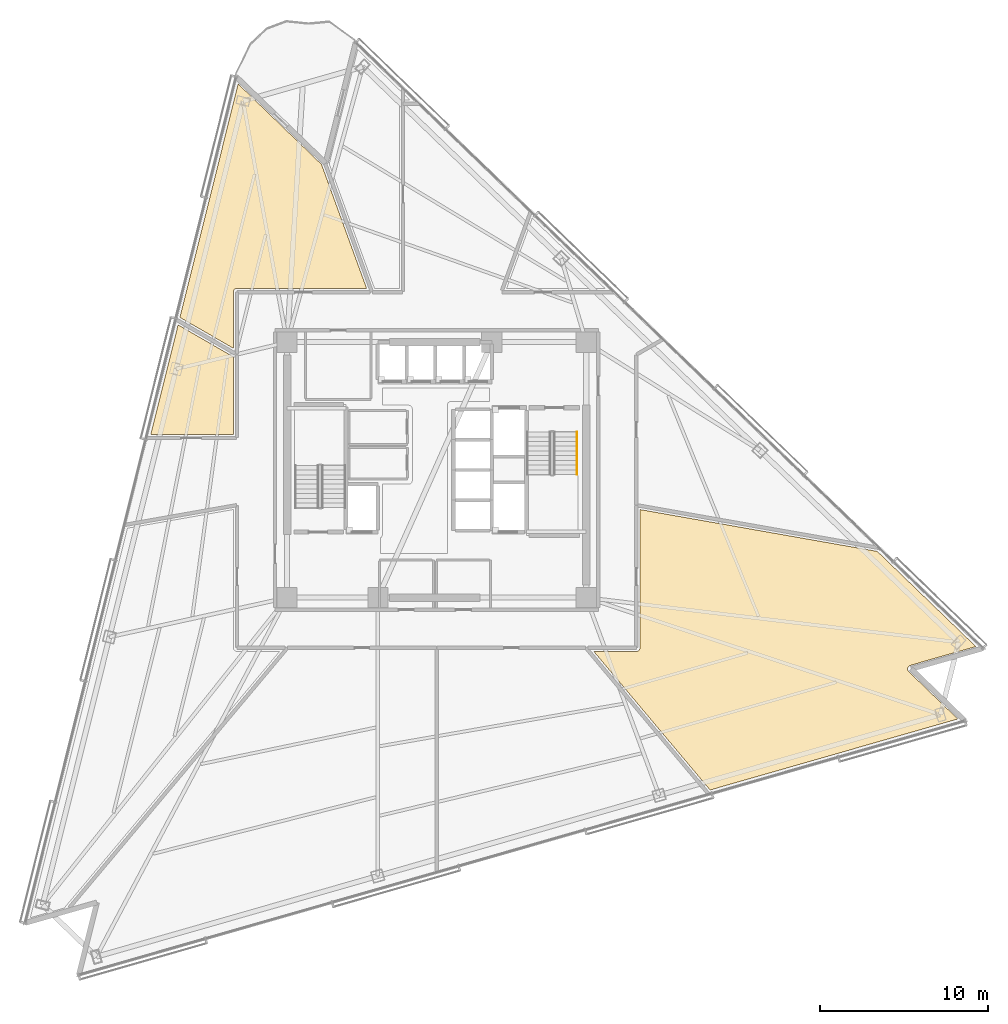
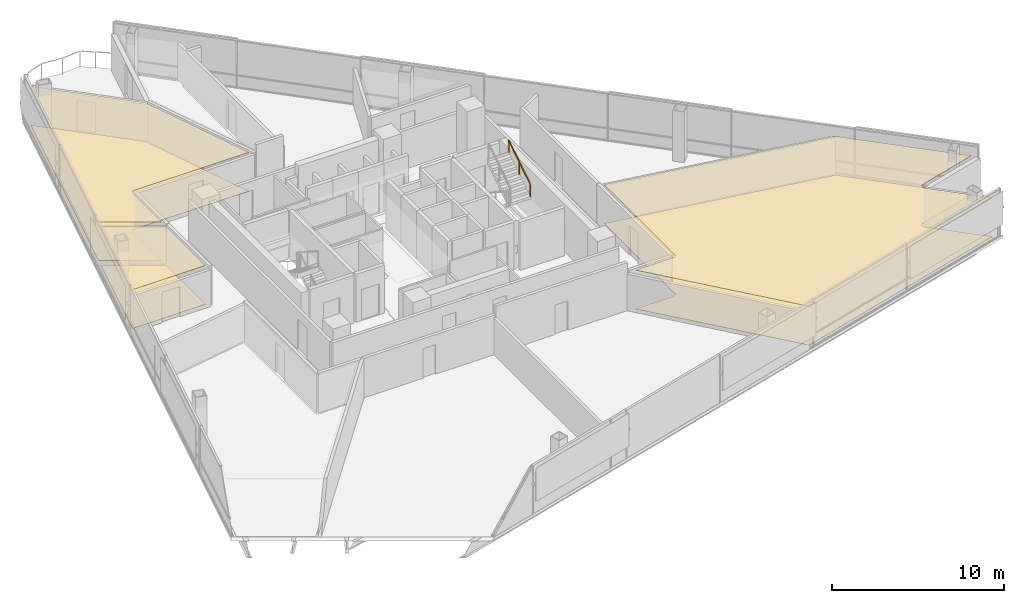
# One storey, part 17 of 19: 6 coverings, 1 railing.
"""IFC4 building model written with IfcOpenShell, lengths in metres."""

from ifc_helpers import new_model, si_unit, direction, frame, origin, origin_2d, place, context, subcontext, project, spatial, polyline, rectangle, outline, extrude, material, layer, layer_set, type_object, element, save


model = new_model("IFC4")

# Units and contexts
model_context = context("Model", 3, precision=1e-05, world=origin(), true_north=direction((0.0, 1.0)))
body_context = subcontext(model_context, "Body", "Model", "MODEL_VIEW")
ifc_project = project(units=[si_unit("LENGTHUNIT", "METRE"), si_unit("AREAUNIT", "SQUARE_METRE"), si_unit("VOLUMEUNIT", "CUBIC_METRE"), si_unit("PLANEANGLEUNIT", "RADIAN"), si_unit("MASSUNIT", "GRAM", prefix="KILO")], contexts=[model_context])

# Site, building, storey
site_placement = place(None, origin())
site = spatial("IfcSite", under=ifc_project, at=site_placement, CompositionType="ELEMENT")
building_placement = place(site_placement, origin())
building = spatial("IfcBuilding", under=site, at=building_placement, Name="Tharavind Bronze Gate", CompositionType="ELEMENT")
storey_placement = place(building_placement, frame((0.0, 0.0, 89.699951171875)))
storey = spatial("IfcBuildingStorey", under=building, at=storey_placement, Name="L22", CompositionType="ELEMENT", Elevation=89.699951171875)

# Coverings
ifc_material_1 = material(Name="Perforated Bronze Acoustic Panel", Category="bronze")
ifc_layer_1 = layer(ifc_material_1, 0.044921875)
ifc_layer_set_1 = layer_set([ifc_layer_1], Name="Perforated Bronze Acoustic Panel")
covering_type_1 = type_object("IfcCoveringType", Name="ACOUSTIC BRONZE BAFFLE CEILING", PredefinedType="CEILING", material=ifc_layer_set_1)
covering_1_placement = place(storey_placement, frame((0.0, 0.0, 2.75)))
element("IfcCovering", 1, at=covering_1_placement, inside=storey, type_object=covering_type_1, Name="L22-RM-04 suspended ceiling", PredefinedType="CEILING", context=body_context, shape_type="SweptSolid", body=[
    extrude(outline(polyline([(-12.10009765625, 2.1201171875), (-12.10009765625, 6.73193359375), (-15.387939453125, 8.630126953125), (-17.01123046875, 2.1201171875), (-12.10009765625, 2.1201171875)])), origin(), (0.0, 0.0, 1.0), 0.03515625),
])
ifc_material_2 = material(Name="Engineered Oak & Carpet Tile", Category="wood")
ifc_layer_2 = layer(ifc_material_2, 0.02490234375)
ifc_layer_set_2 = layer_set([ifc_layer_2], Name="Engineered Oak & Carpet Tile")
covering_type_2 = type_object("IfcCoveringType", Name="ENGINEERED TIMBER FLOORING", PredefinedType="FLOORING", material=ifc_layer_set_2)
covering_2_placement = place(storey_placement, origin())
element("IfcCovering", 2, at=covering_2_placement, inside=storey, type_object=covering_type_2, Name="L22-RM-03 floor finish", PredefinedType="FLOORING", context=body_context, shape_type="SweptSolid", body=[
    extrude(outline(polyline([(-12.10009765625, 7.239990234375), (-12.10009765625, 10.579345703125), (-12.099609375, 10.590087890625), (-12.099609375, 10.5908203125), (-12.09765625, 10.6123046875), (-12.093505859375, 10.63330078125), (-12.087158203125, 10.654052734375), (-12.078857421875, 10.674072265625), (-12.068603515625, 10.693115234375), (-12.056640625, 10.7109375), (-12.04296875, 10.727783203125), (-12.027587890625, 10.742919921875), (-12.010986328125, 10.756591796875), (-11.9931640625, 10.768798828125), (-11.97412109375, 10.77880859375), (-11.9541015625, 10.787109375), (-11.933349609375, 10.79345703125), (-11.912353515625, 10.797607421875), (-11.890869140625, 10.7998046875), (-11.89013671875, 10.7998046875), (-11.87939453125, 10.800048828125), (-4.1650390625, 10.800048828125), (-6.851318359375, 18.18017578125), (-11.8125, 22.97119140625), (-15.27734375, 9.074462890625), (-12.10009765625, 7.239990234375)])), origin(), (0.0, 0.0, 1.0), 0.025146484375),
])
covering_3_placement = place(storey_placement, origin())
element("IfcCovering", 3, at=covering_3_placement, inside=storey, type_object=covering_type_2, Name="L22-RM-04 floor finish", PredefinedType="FLOORING", context=body_context, shape_type="SweptSolid", body=[
    extrude(outline(polyline([(-12.10009765625, 2.1201171875), (-12.10009765625, 6.73193359375), (-15.387939453125, 8.630126953125), (-17.01123046875, 2.1201171875), (-12.10009765625, 2.1201171875)])), origin(), (0.0, 0.0, 1.0), 0.025146484375),
])
covering_4_placement = place(storey_placement, origin())
element("IfcCovering", 4, at=covering_4_placement, inside=storey, type_object=covering_type_2, Name="L22-RM-08 floor finish", PredefinedType="FLOORING", context=body_context, shape_type="SweptSolid", body=[
    extrude(outline(polyline([(16.269775390625, -19.04736328125), (31.011962890625, -14.820068359375), (28.092529296875, -12.0009765625), (28.0849609375, -11.9931640625), (28.08447265625, -11.992919921875), (28.0703125, -11.97607421875), (28.057861328125, -11.9580078125), (28.04736328125, -11.938720703125), (28.038818359375, -11.918701171875), (28.031982421875, -11.897705078125), (28.027587890625, -11.876220703125), (28.025390625, -11.8544921875), (28.025390625, -11.83251953125), (28.02734375, -11.810546875), (28.031494140625, -11.7890625), (28.037841796875, -11.76806640625), (28.04638671875, -11.747802734375), (28.056884765625, -11.728515625), (28.069091796875, -11.71044921875), (28.0830078125, -11.693603515625), (28.0986328125, -11.677978515625), (28.11572265625, -11.664306640625), (28.134033203125, -11.65234375), (28.153564453125, -11.64208984375), (28.173828125, -11.634033203125), (28.174560546875, -11.6337890625), (28.18505859375, -11.630615234375), (32.086181640625, -10.511962890625), (26.219482421875, -4.8466796875), (12.10009765625, -2.35693359375), (12.10009765625, -10.579345703125), (12.099609375, -10.590087890625), (12.099609375, -10.5908203125), (12.09765625, -10.6123046875), (12.093505859375, -10.63330078125), (12.087158203125, -10.654052734375), (12.078857421875, -10.674072265625), (12.068603515625, -10.693115234375), (12.056640625, -10.7109375), (12.04296875, -10.727783203125), (12.027587890625, -10.742919921875), (12.010986328125, -10.756591796875), (11.9931640625, -10.768798828125), (11.97412109375, -10.77880859375), (11.9541015625, -10.787109375), (11.933349609375, -10.79345703125), (11.912353515625, -10.797607421875), (11.890869140625, -10.7998046875), (11.89013671875, -10.7998046875), (11.87939453125, -10.800048828125), (9.349609375, -10.800048828125), (16.269775390625, -19.04736328125)])), origin(), (0.0, 0.0, 1.0), 0.025146484375),
])
ifc_material_3 = material(Name="Acoustic Gypsum Board", Category="gypsum")
ifc_layer_3 = layer(ifc_material_3, 0.030029296875)
ifc_layer_set_3 = layer_set([ifc_layer_3], Name="Acoustic Gypsum Board")
covering_type_3 = type_object("IfcCoveringType", Name="GYPSUM SUSPENDED CEILING", PredefinedType="CEILING", material=ifc_layer_set_3)
covering_5_placement = place(storey_placement, frame((0.0, 0.0, 2.75)))
element("IfcCovering", 5, at=covering_5_placement, inside=storey, type_object=covering_type_3, Name="L22-RM-03 suspended ceiling", PredefinedType="CEILING", context=body_context, shape_type="SweptSolid", body=[
    extrude(outline(polyline([(-12.10009765625, 7.239990234375), (-12.10009765625, 10.579345703125), (-12.099609375, 10.590087890625), (-12.099609375, 10.5908203125), (-12.09765625, 10.6123046875), (-12.093505859375, 10.63330078125), (-12.087158203125, 10.654052734375), (-12.078857421875, 10.674072265625), (-12.068603515625, 10.693115234375), (-12.056640625, 10.7109375), (-12.04296875, 10.727783203125), (-12.027587890625, 10.742919921875), (-12.010986328125, 10.756591796875), (-11.9931640625, 10.768798828125), (-11.97412109375, 10.77880859375), (-11.9541015625, 10.787109375), (-11.933349609375, 10.79345703125), (-11.912353515625, 10.797607421875), (-11.890869140625, 10.7998046875), (-11.89013671875, 10.7998046875), (-11.87939453125, 10.800048828125), (-4.1650390625, 10.800048828125), (-6.851318359375, 18.18017578125), (-11.8125, 22.97119140625), (-15.27734375, 9.074462890625), (-12.10009765625, 7.239990234375)])), origin(), (0.0, 0.0, 1.0), 0.03515625),
])
covering_6_placement = place(storey_placement, frame((0.0, 0.0, 2.75)))
element("IfcCovering", 6, at=covering_6_placement, inside=storey, type_object=covering_type_3, Name="L22-RM-08 suspended ceiling", PredefinedType="CEILING", context=body_context, shape_type="SweptSolid", body=[
    extrude(outline(polyline([(16.269775390625, -19.04736328125), (31.011962890625, -14.820068359375), (28.092529296875, -12.0009765625), (28.0849609375, -11.9931640625), (28.08447265625, -11.992919921875), (28.0703125, -11.97607421875), (28.057861328125, -11.9580078125), (28.04736328125, -11.938720703125), (28.038818359375, -11.918701171875), (28.031982421875, -11.897705078125), (28.027587890625, -11.876220703125), (28.025390625, -11.8544921875), (28.025390625, -11.83251953125), (28.02734375, -11.810546875), (28.031494140625, -11.7890625), (28.037841796875, -11.76806640625), (28.04638671875, -11.747802734375), (28.056884765625, -11.728515625), (28.069091796875, -11.71044921875), (28.0830078125, -11.693603515625), (28.0986328125, -11.677978515625), (28.11572265625, -11.664306640625), (28.134033203125, -11.65234375), (28.153564453125, -11.64208984375), (28.173828125, -11.634033203125), (28.174560546875, -11.6337890625), (28.18505859375, -11.630615234375), (32.086181640625, -10.511962890625), (26.219482421875, -4.8466796875), (12.10009765625, -2.35693359375), (12.10009765625, -10.579345703125), (12.099609375, -10.590087890625), (12.099609375, -10.5908203125), (12.09765625, -10.6123046875), (12.093505859375, -10.63330078125), (12.087158203125, -10.654052734375), (12.078857421875, -10.674072265625), (12.068603515625, -10.693115234375), (12.056640625, -10.7109375), (12.04296875, -10.727783203125), (12.027587890625, -10.742919921875), (12.010986328125, -10.756591796875), (11.9931640625, -10.768798828125), (11.97412109375, -10.77880859375), (11.9541015625, -10.787109375), (11.933349609375, -10.79345703125), (11.912353515625, -10.797607421875), (11.890869140625, -10.7998046875), (11.89013671875, -10.7998046875), (11.87939453125, -10.800048828125), (9.349609375, -10.800048828125), (16.269775390625, -19.04736328125)])), origin(), (0.0, 0.0, 1.0), 0.03515625),
])

# Railing
ifc_material_4 = material(Name="Brushed Bronze Alloy", Category="metal")
railing_type = type_object("IfcRailingType", Name="STAIR BRONZE HANDRAIL 900", PredefinedType="HANDRAIL", material=ifc_material_4)
railing_placement = place(storey_placement, frame((8.35009765625, -0.27001953125, 1.97998046875)))
element("IfcRailing", 7, at=railing_placement, inside=storey, type_object=railing_type, Name="L22 ST2 stair handrail 2", PredefinedType="HANDRAIL", context=body_context, shape_type="SweptSolid", body=[
    extrude(rectangle(XDim=0.048095703125, YDim=0.048095703125, at=origin_2d()), frame((0.0, 0.02685546875, 0.89306640625), z_axis=(0.0, 0.841162588446, 0.540782303519), x_axis=(-1.0, 0.0, 0.0)), (0.0, 0.0, 1.0), 2.931884765625),
    extrude(rectangle(XDim=0.0400390625, YDim=0.0400390625, at=origin_2d()), origin(), (0.0, 0.0, 1.0), 0.847900390625),
    extrude(rectangle(XDim=0.0400390625, YDim=0.0400390625, at=origin_2d()), frame((0.0, 1.260009765625, 0.81005859375)), (0.0, 0.0, 1.0), 0.847900390625),
    extrude(rectangle(XDim=0.0400390625, YDim=0.0400390625, at=origin_2d()), frame((0.0, 2.52001953125, 1.6201171875)), (0.0, 0.0, 1.0), 0.847900390625),
])

save(model, "model.ifc")
